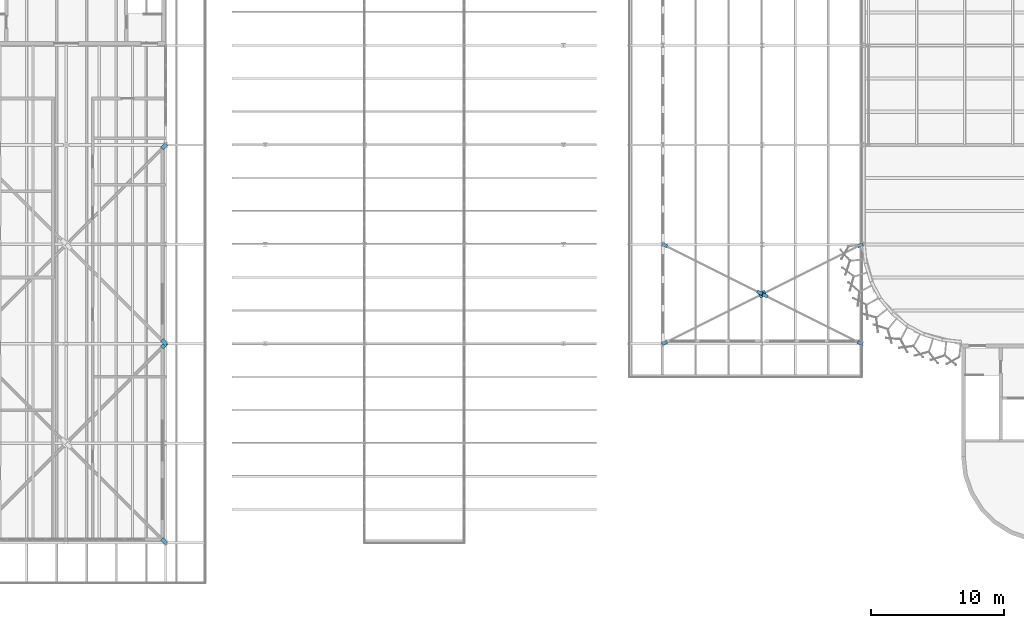
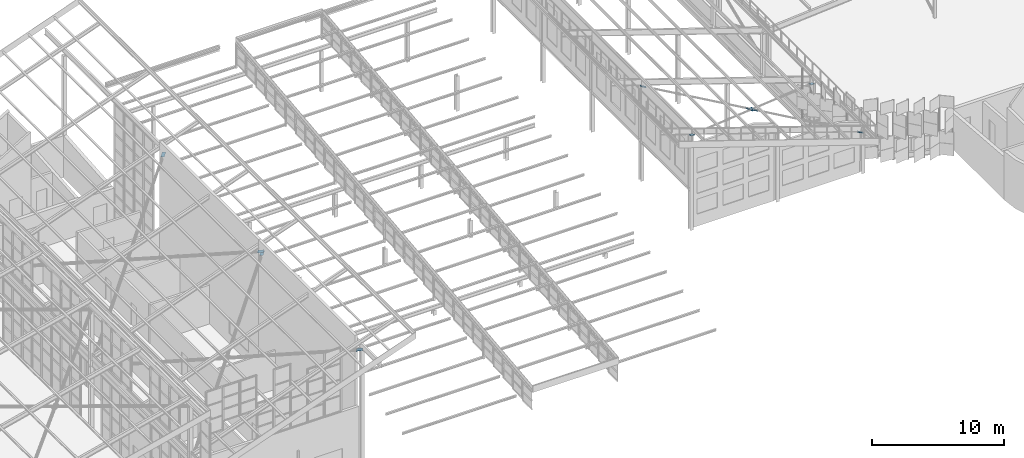
# One storey, part 440 of 483: 11 discrete accessories.
"""IFC4 building model written with IfcOpenShell, lengths in metres."""

from ifc_helpers import new_model, si_unit, direction, frame, origin, place, context, subcontext, project, spatial, polyline, outline, extrude, material, layer, layer_set, type_object, element, save


model = new_model("IFC4")

# Units and contexts
model_context = context("Model", 3, precision=1e-05, world=origin(), true_north=direction((0.0, 1.0)))
body_context = subcontext(model_context, "Body", "Model", "MODEL_VIEW")
ifc_project = project(units=[si_unit("LENGTHUNIT", "METRE"), si_unit("AREAUNIT", "SQUARE_METRE"), si_unit("VOLUMEUNIT", "CUBIC_METRE"), si_unit("PLANEANGLEUNIT", "RADIAN"), si_unit("MASSUNIT", "GRAM", prefix="KILO")], contexts=[model_context])

# Site, building, storey
site_placement = place(None, origin())
site = spatial("IfcSite", under=ifc_project, at=site_placement, CompositionType="ELEMENT")
building_placement = place(site_placement, origin())
building = spatial("IfcBuilding", under=site, at=building_placement, Name="Parallax Yard Mobility Hub", CompositionType="ELEMENT")
storey_placement = place(building_placement, frame((0.0, 0.0, 13.199951171875)))
storey = spatial("IfcBuildingStorey", under=building, at=storey_placement, Name="L04", CompositionType="ELEMENT", Elevation=13.199951171875)

# Discrete accessories
ifc_material = material(Name="Steel ASTM A36", Category="steel")
ifc_layer = layer(ifc_material, 0.011962890625)
ifc_layer_set = layer_set([ifc_layer], Name="Gusset plate PL12")
discrete_accessory_type = type_object("IfcDiscreteAccessoryType", Name="Gusset plate PL12", PredefinedType="BRACKET", material=ifc_layer_set)
discrete_accessory_1_placement = place(storey_placement, frame((142.30908203125, 22.10400390625, 11.021728515625), z_axis=(-0.338991424218, 0.000213290453, 0.940789439149), x_axis=(0.685507782042, 0.684940492791, 0.24685137653)))
element("IfcDiscreteAccessory", 1, at=discrete_accessory_1_placement, inside=storey, type_object=discrete_accessory_type, Name="Gusset plate PL12 at end 2 of Roof X brace pavilion bay 1 1", PredefinedType="BRACKET", context=body_context, shape_type="SweptSolid", body=[
    extrude(outline(polyline([(0.0, 0.0), (0.49901685490630454, -3.469446951953614e-18), (0.49912270884202425, 0.2991290195312476), (-1.1014149299513887e-06, 0.2988944164680345), (0.0, 0.0)])), origin(), (0.0, 0.0, -1.0), 0.011962890625),
])
discrete_accessory_2_placement = place(storey_placement, frame((142.116455078125, 7.67822265625, 10.952392578125), z_axis=(-0.338991424218, -0.000213290453, 0.940789439149), x_axis=(0.68520485105, -0.685282880324, 0.246742144824)))
element("IfcDiscreteAccessory", 2, at=discrete_accessory_2_placement, inside=storey, type_object=discrete_accessory_type, Name="Gusset plate PL12 at end 2 of Roof X brace pavilion bay 1 2 (half 2)", PredefinedType="BRACKET", context=body_context, shape_type="SweptSolid", body=[
    extrude(outline(polyline([(0.0, 0.0), (0.4991238653921663, 2.42861286636753e-17), (0.4988774119313436, 0.2991289367337652), (-0.00013938785156974304, 0.2988943839686634), (0.0, 0.0)])), origin(), (0.0, 0.0, -1.0), 0.011962890625),
])
discrete_accessory_3_placement = place(storey_placement, frame((142.30908203125, 37.10400390625, 11.021728515625), z_axis=(-0.338991424218, 0.000213290453, 0.940789439149), x_axis=(0.685507782042, 0.684940492791, 0.24685137653)))
element("IfcDiscreteAccessory", 3, at=discrete_accessory_3_placement, inside=storey, type_object=discrete_accessory_type, Name="Gusset plate PL12 at end 2 of Roof X brace pavilion bay 2 1", PredefinedType="BRACKET", context=body_context, shape_type="SweptSolid", body=[
    extrude(outline(polyline([(0.0, 0.0), (0.49901685490630454, -3.469446951953614e-18), (0.49912270884202425, 0.2991290195312476), (-1.1014149299513887e-06, 0.2988944164680345), (0.0, 0.0)])), origin(), (0.0, 0.0, -1.0), 0.011962890625),
])
discrete_accessory_4_placement = place(storey_placement, frame((142.116455078125, 22.67822265625, 10.952392578125), z_axis=(-0.338991424218, -0.000213290453, 0.940789439149), x_axis=(0.68520485105, -0.685282880324, 0.246742144824)))
element("IfcDiscreteAccessory", 4, at=discrete_accessory_4_placement, inside=storey, type_object=discrete_accessory_type, Name="Gusset plate PL12 at end 2 of Roof X brace pavilion bay 2 2 (half 2)", PredefinedType="BRACKET", context=body_context, shape_type="SweptSolid", body=[
    extrude(outline(polyline([(0.0, 0.0), (0.4991238653921663, 2.42861286636753e-17), (0.4988774119313436, 0.2991289367337652), (-0.00013938785156974304, 0.2988943839686634), (0.0, 0.0)])), origin(), (0.0, 0.0, -1.0), 0.011962890625),
])
discrete_accessory_5_placement = place(storey_placement, frame((180.26513671875, 22.77001953125, 8.623046875), z_axis=(0.316069492494, -0.000251179493, 0.948736007973), x_axis=(-0.857114433211, -0.428816023884, 0.285432419395)))
element("IfcDiscreteAccessory", 5, at=discrete_accessory_5_placement, inside=storey, type_object=discrete_accessory_type, Name="Gusset plate PL12 at end 1 of Roof X brace end bay 1 1", PredefinedType="BRACKET", context=body_context, shape_type="SweptSolid", body=[
    extrude(outline(polyline([(0.0, 0.0), (0.448067822754055, 6.938893903907228e-18), (0.44823969559509347, 0.2482771493251976), (-3.738361238216775e-05, 0.24837645633395833), (0.0, 0.0)])), origin(), (0.0, 0.0, -1.0), 0.011962890625),
])
discrete_accessory_6_placement = place(storey_placement, frame((194.73486328125, 29.72998046875, 3.7998046875), z_axis=(0.316512413132, -2.9719174e-05, 0.94858836776), x_axis=(0.856981072788, 0.428749284284, -0.285932670588)))
element("IfcDiscreteAccessory", 6, at=discrete_accessory_6_placement, inside=storey, type_object=discrete_accessory_type, Name="Gusset plate PL12 at end 2 of Roof X brace end bay 1 1", PredefinedType="BRACKET", context=body_context, shape_type="SweptSolid", body=[
    extrude(outline(polyline([(0.0, 0.0), (0.44813758942511567, 5.551115123125783e-17), (0.4482910807958328, 0.24827716136113695), (-5.573252400644345e-05, 0.24837645288605745), (0.0, 0.0)])), origin(), (0.0, 0.0, -1.0), 0.011962890625),
])
discrete_accessory_7_placement = place(storey_placement, frame((194.6337890625, 22.545654296875, 3.83349609375), z_axis=(0.316512413132, 2.9719174e-05, 0.94858836776), x_axis=(0.857071119709, -0.428549200314, -0.285962722521)))
element("IfcDiscreteAccessory", 7, at=discrete_accessory_7_placement, inside=storey, type_object=discrete_accessory_type, Name="Gusset plate PL12 at end 1 of Roof X brace end bay 1 2 (half 1)", PredefinedType="BRACKET", context=body_context, shape_type="SweptSolid", body=[
    extrude(outline(polyline([(0.0, 0.0), (0.4483468243144605, -6.938893903907228e-18), (0.4482483167605235, 0.2482771892651573), (0.00011073832489809886, 0.24837643445262184), (0.0, 0.0)])), origin(), (0.0, 0.0, -1.0), 0.011962890625),
])
discrete_accessory_8_placement = place(storey_placement, frame((187.9482421875, 26.163330078125, 6.06201171875), z_axis=(0.315953775405, -0.000207164199, 0.948774561679), x_axis=(-0.857177289292, 0.428615832061, 0.285544327959)))
element("IfcDiscreteAccessory", 8, at=discrete_accessory_8_placement, inside=storey, type_object=discrete_accessory_type, Name="Gusset plate PL12 at end 2 of Roof X brace end bay 1 2 (half 1)", PredefinedType="BRACKET", context=body_context, shape_type="SweptSolid", body=[
    extrude(outline(polyline([(0.0, 0.0), (0.44827708521174847, -3.469446951953614e-18), (0.4483695083956155, 0.24837643293553063), (-0.00018656158596949864, 0.24824411746515812), (0.0, 0.0)])), origin(), (0.0, 0.0, -1.0), 0.011962890625),
])
discrete_accessory_9_placement = place(storey_placement, frame((187.0517578125, 26.336669921875, 6.36083984375), z_axis=(0.316364726574, 0.00010356715, 0.948637627893), x_axis=(0.857125645852, -0.428549188831, -0.285799265177)))
element("IfcDiscreteAccessory", 9, at=discrete_accessory_9_placement, inside=storey, type_object=discrete_accessory_type, Name="Gusset plate PL12 at end 1 of Roof X brace end bay 1 2 (half 2)", PredefinedType="BRACKET", context=body_context, shape_type="SweptSolid", body=[
    extrude(outline(polyline([(0.0, 0.0), (0.4483468243160137, -1.3877787807814457e-17), (0.44845756929693514, 0.24837643445245794), (-9.851420996034692e-05, 0.24827718926532116), (0.0, 0.0)])), origin(), (0.0, 0.0, -1.0), 0.011962890625),
])
discrete_accessory_10_placement = place(storey_placement, frame((180.3662109375, 29.954345703125, 8.58935546875), z_axis=(0.316069492494, 0.000251179493, 0.948736007973), x_axis=(-0.857204522224, 0.428615884602, 0.285462485355)))
element("IfcDiscreteAccessory", 10, at=discrete_accessory_10_placement, inside=storey, type_object=discrete_accessory_type, Name="Gusset plate PL12 at end 2 of Roof X brace end bay 1 2 (half 2)", PredefinedType="BRACKET", context=body_context, shape_type="SweptSolid", body=[
    extrude(outline(polyline([(0.0, 0.0), (0.44827709020723705, 1.3877787807814457e-17), (0.4481602183097496, 0.24827718130806853), (9.240655032108705e-05, 0.24837644195772404), (0.0, 0.0)])), origin(), (0.0, 0.0, -1.0), 0.011962890625),
])
discrete_accessory_11_placement = place(storey_placement, frame((187.345458984375, 25.940185546875, 6.262939453125), z_axis=(0.316324226259, -5.3463492e-05, 0.948651137681), x_axis=(0.856976911048, 0.428891611167, -0.285731621984)))
element("IfcDiscreteAccessory", 11, at=discrete_accessory_11_placement, inside=storey, type_object=discrete_accessory_type, Name="Gusset plate PL12 crossing node of Roof X brace end bay 1 2", PredefinedType="BRACKET", context=body_context, shape_type="SweptSolid", body=[
    extrude(outline(polyline([(0.0, 0.0), (0.5601283927074551, 6.938893903907228e-18), (0.5600679743667011, 0.42001212024316414), (9.34035601929395e-06, 0.4199789867900318), (0.0, 0.0)])), origin(), (0.0, 0.0, -1.0), 0.011962890625),
])

save(model, "model.ifc")
